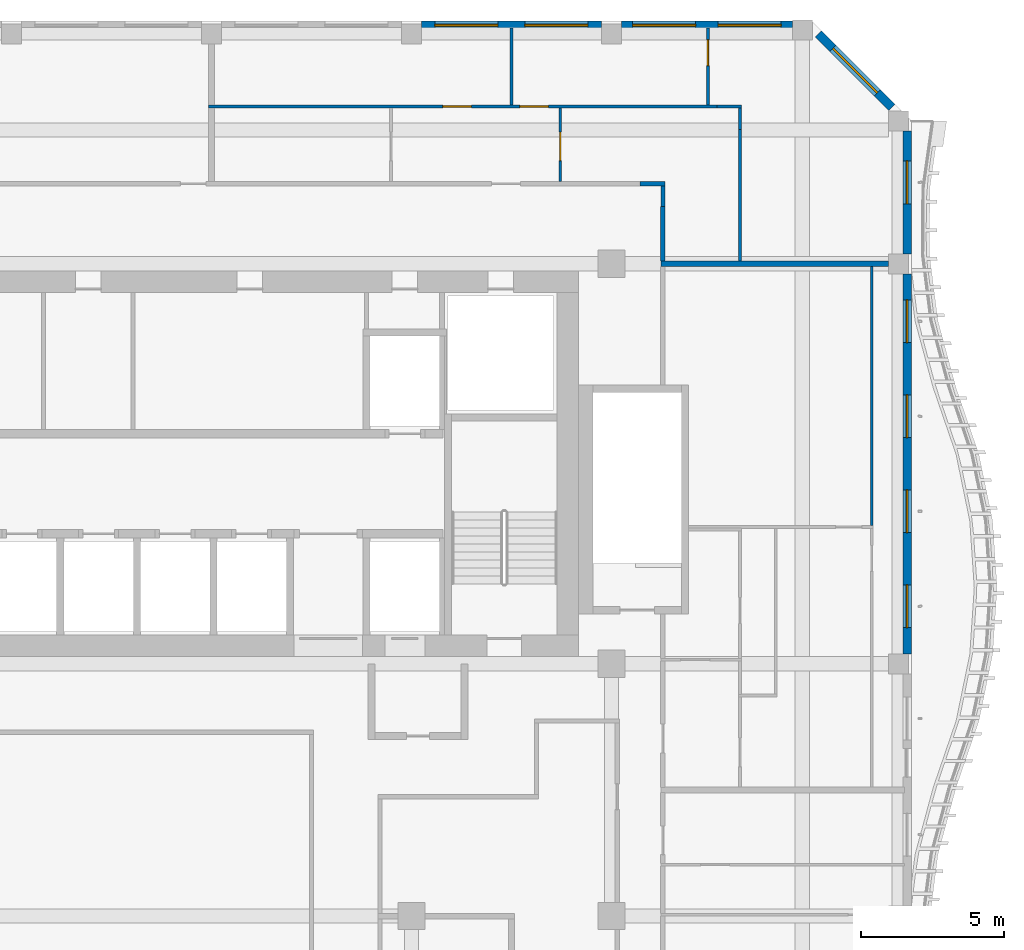
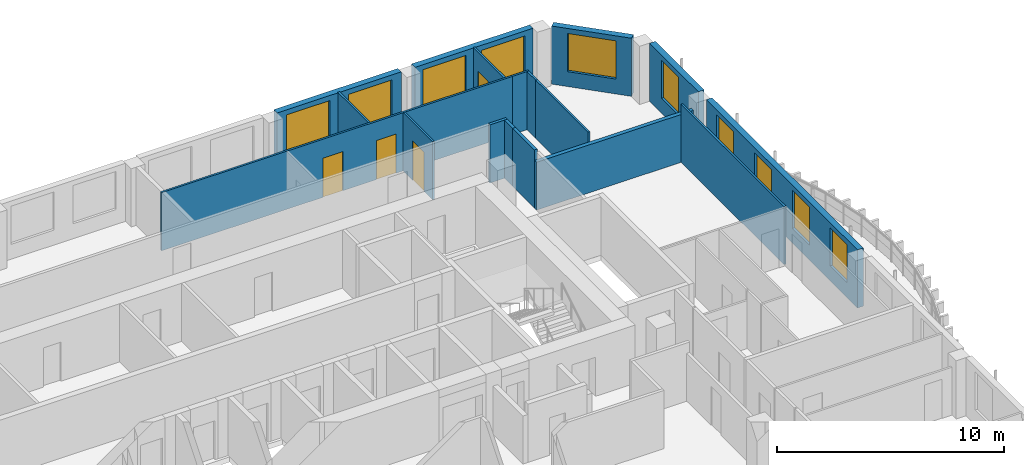
# One storey, part 9 of 18: 17 walls, 10 windows, 4 doors, 14 openings.
"""IFC4 building model written with IfcOpenShell, lengths in metres."""

from ifc_helpers import new_model, si_unit, direction, frame, frame_2d, origin, place, context, subcontext, project, spatial, rectangle, extrude, source, transform, mapped, material, layer, layer_set, type_object, element, fill, save


model = new_model("IFC4")

# Units and contexts
model_context = context("Model", 3, precision=1e-05, world=origin(), true_north=direction((0.0, 1.0)))
body_context = subcontext(model_context, "Body", "Model", "MODEL_VIEW")
ifc_project = project(units=[si_unit("LENGTHUNIT", "METRE"), si_unit("AREAUNIT", "SQUARE_METRE"), si_unit("VOLUMEUNIT", "CUBIC_METRE"), si_unit("PLANEANGLEUNIT", "RADIAN"), si_unit("MASSUNIT", "GRAM", prefix="KILO")], contexts=[model_context])

# Site, building, storey
site_placement = place(None, origin())
site = spatial("IfcSite", under=ifc_project, at=site_placement, CompositionType="ELEMENT")
building_placement = place(site_placement, origin())
building = spatial("IfcBuilding", under=site, at=building_placement, Name="Kilnfold Tower and Market Hall", CompositionType="ELEMENT")
storey_placement = place(building_placement, frame((0.0, 0.0, 256.0)))
storey = spatial("IfcBuildingStorey", under=building, at=storey_placement, Name="L62", CompositionType="ELEMENT", Elevation=256.0)

# Walls
ifc_material_1 = material(Name="Gypsum board on steel studs", Category="steel")
ifc_layer_1 = layer(ifc_material_1, 0.14990234375)
ifc_layer_set_1 = layer_set([ifc_layer_1], Name="Gypsum board on steel studs")
wall_type_1 = type_object("IfcWallType", Name="WALL CORRIDOR 150", PredefinedType="PARTITIONING", material=ifc_layer_set_1)
wall_1_placement = place(storey_placement, frame((20.876953125, 24.802001953125, 0.0), z_axis=(0.0, 0.0, 1.0), x_axis=(-1.0, 0.0, 0.0)))
element("IfcWall", 1, at=wall_1_placement, inside=storey, type_object=wall_type_1, Name="Partition LY38.19", PredefinedType="PARTITIONING", context=body_context, shape_type="SweptSolid", body=[
    extrude(rectangle(XDim=0.87890625, YDim=0.14990234375, at=frame_2d((0.439453125, 0.0))), origin(), (0.0, 0.0, 1.0), 3.1201171875),
])
wall_2_placement = place(storey_placement, frame((20.802001953125, 23.998046875, 0.0), z_axis=(0.0, 0.0, 1.0), x_axis=(0.0, 1.0, 0.0)))
element("IfcWall", 2, at=wall_2_placement, inside=storey, type_object=wall_type_1, Name="Partition LY38.20", PredefinedType="PARTITIONING", context=body_context, shape_type="SweptSolid", body=[
    extrude(rectangle(XDim=0.72900390625, YDim=0.14990234375, at=frame_2d((0.364501953125, 0.0))), origin(), (0.0, 0.0, 1.0), 3.1201171875),
])
wall_3_placement = place(storey_placement, frame((20.800048828125, 22.090087890625, 0.0), z_axis=(0.0, 0.0, 1.0), x_axis=(0.0, 1.0, 0.0)))
element("IfcWall", 3, at=wall_3_placement, inside=storey, type_object=wall_type_1, Name="Partition LY38.21", PredefinedType="PARTITIONING", context=body_context, shape_type="SweptSolid", body=[
    extrude(rectangle(XDim=1.907958984375, YDim=0.14990234375, at=frame_2d((0.9541015625, 0.0))), origin(), (0.0, 0.0, 1.0), 3.1201171875),
])
ifc_material_2 = material(Name="Gypsum board on steel studs", Category="steel")
ifc_layer_2 = layer(ifc_material_2, 0.10009765625)
ifc_layer_set_2 = layer_set([ifc_layer_2], Name="Gypsum board on steel studs")
wall_type_2 = type_object("IfcWallType", Name="WALL PARTITION 100", PredefinedType="PARTITIONING", material=ifc_layer_set_2)
wall_4_placement = place(storey_placement, frame((28.111083984375, 12.841064453125, 0.0), z_axis=(0.0, 0.0, 1.0), x_axis=(0.0, 1.0, 0.0)))
element("IfcWall", 4, at=wall_4_placement, inside=storey, type_object=wall_type_2, Name="Partition LY38.87", PredefinedType="PARTITIONING", context=body_context, shape_type="SweptSolid", body=[
    extrude(rectangle(XDim=9.058837890625, YDim=0.10009765625, at=frame_2d((4.529296875, 0.0))), origin(), (0.0, 0.0, 1.0), 3.1201171875),
])

# Wall, openings, doors
wall_5_placement = place(storey_placement, frame((4.89990234375, 27.5, 0.0), z_axis=(0.0, 0.0, 1.0), x_axis=(1.0, 0.0, 0.0)))
wall_5 = element("IfcWall", 5, at=wall_5_placement, inside=storey, type_object=wall_type_2, Name="Partition LY38.95", PredefinedType="PARTITIONING", context=body_context, shape_type="SweptSolid", body=[
    extrude(rectangle(XDim=17.798095703125, YDim=0.10009765625, at=frame_2d((8.89892578125, 0.0))), origin(), (0.0, 0.0, 1.0), 3.1201171875),
])
opening_1_placement = place(wall_5_placement, frame((8.200927734375, 0.0, 0.0)))
opening_1 = element("IfcOpeningElement", 6, at=opening_1_placement, cuts=wall_5, Name="Opening D1", PredefinedType="OPENING", context=body_context, shape_type="SweptSolid", body=[
    extrude(rectangle(XDim=1.0, YDim=2.10009765625, at=frame_2d((0.5, 1.050048828125))), frame((0.0, 0.06005859375, 0.0), z_axis=(0.0, -1.0, 0.0), x_axis=(1.0, 0.0, 0.0)), (0.0, 0.0, 1.0), 0.1201171875),
])
opening_2_placement = place(wall_5_placement, frame((10.89697265625, 0.0, 0.0)))
opening_2 = element("IfcOpeningElement", 7, at=opening_2_placement, cuts=wall_5, Name="Opening D1", PredefinedType="OPENING", context=body_context, shape_type="SweptSolid", body=[
    extrude(rectangle(XDim=1.0, YDim=2.10009765625, at=frame_2d((0.5, 1.050048828125))), frame((0.0, 0.06005859375, 0.0), z_axis=(0.0, -1.0, 0.0), x_axis=(1.0, 0.0, 0.0)), (0.0, 0.0, 1.0), 0.1201171875),
])
ifc_material_3 = material(Name="Timber veneer door leaf in steel frame", Category="steel")
door_type_1 = type_object("IfcDoorType", Name="DOOR ENTRY 1000 X2100", OperationType="NOTDEFINED", PredefinedType="DOOR", material=ifc_material_3)
door_1_placement = place(opening_1_placement, origin())
door_1 = element("IfcDoor", 8, at=door_1_placement, inside=storey, type_object=door_type_1, Name="Door D1", OperationType="SINGLE_SWING_LEFT", OverallHeight=2.10009765625, OverallWidth=1.0, PredefinedType="DOOR", context=body_context, shape_type="SweptSolid", body=[
    extrude(rectangle(XDim=1.0, YDim=2.10009765625, at=frame_2d((0.5, 1.050048828125))), frame((0.0, 0.02490234375, 0.0), z_axis=(0.0, -1.0, 0.0), x_axis=(1.0, 0.0, 0.0)), (0.0, 0.0, 1.0), 0.050048828125),
])
fill(opening_1, door_1)
door_2_placement = place(opening_2_placement, origin())
door_2 = element("IfcDoor", 9, at=door_2_placement, inside=storey, type_object=door_type_1, Name="Door D1", OperationType="SINGLE_SWING_LEFT", OverallHeight=2.10009765625, OverallWidth=1.0, PredefinedType="DOOR", context=body_context, shape_type="SweptSolid", body=[
    extrude(rectangle(XDim=1.0, YDim=2.10009765625, at=frame_2d((0.5, 1.050048828125))), frame((0.0, 0.02490234375, 0.0), z_axis=(0.0, -1.0, 0.0), x_axis=(1.0, 0.0, 0.0)), (0.0, 0.0, 1.0), 0.050048828125),
])
fill(opening_2, door_2)

# Wall, opening, door
wall_6_placement = place(storey_placement, frame((17.2099609375, 24.876953125, 0.0), z_axis=(0.0, 0.0, 1.0), x_axis=(0.0, 1.0, 0.0)))
wall_6 = element("IfcWall", 10, at=wall_6_placement, inside=storey, type_object=wall_type_2, Name="Partition LY38.97", PredefinedType="PARTITIONING", context=body_context, shape_type="SweptSolid", body=[
    extrude(rectangle(XDim=2.572998046875, YDim=0.10009765625, at=frame_2d((1.28662109375, 0.0))), origin(), (0.0, 0.0, 1.0), 3.1201171875),
])
opening_3_placement = place(wall_6_placement, frame((0.73291015625, 0.0, 0.0)))
opening_3 = element("IfcOpeningElement", 11, at=opening_3_placement, cuts=wall_6, Name="Opening D1", PredefinedType="OPENING", context=body_context, shape_type="SweptSolid", body=[
    extrude(rectangle(XDim=1.0, YDim=2.10009765625, at=frame_2d((0.5, 1.050048828125))), frame((0.0, 0.06005859375, 0.0), z_axis=(0.0, -1.0, 0.0), x_axis=(1.0, 0.0, 0.0)), (0.0, 0.0, 1.0), 0.1201171875),
])
door_3_placement = place(opening_3_placement, origin())
door_3 = element("IfcDoor", 12, at=door_3_placement, inside=storey, type_object=door_type_1, Name="Door D1", OperationType="SINGLE_SWING_RIGHT", OverallHeight=2.10009765625, OverallWidth=1.0, PredefinedType="DOOR", context=body_context, shape_type="SweptSolid", body=[
    extrude(rectangle(XDim=1.0, YDim=2.10009765625, at=frame_2d((0.5, 1.050048828125))), frame((0.0, 0.02490234375, 0.0), z_axis=(0.0, -1.0, 0.0), x_axis=(1.0, 0.0, 0.0)), (0.0, 0.0, 1.0), 0.050048828125),
])
fill(opening_3, door_3)

# Walls
wall_7_placement = place(storey_placement, frame((23.552001953125, 27.501953125, 0.0), z_axis=(0.0, 0.0, 1.0), x_axis=(-1.0, 0.0, 0.0)))
element("IfcWall", 13, at=wall_7_placement, inside=storey, type_object=wall_type_2, Name="Partition LY38.98", PredefinedType="PARTITIONING", context=body_context, shape_type="SweptSolid", body=[
    extrude(rectangle(XDim=0.85400390625, YDim=0.10009765625, at=frame_2d((0.427001953125, 0.0))), origin(), (0.0, 0.0, 1.0), 3.1201171875),
])
wall_8_placement = place(storey_placement, frame((23.501953125, 26.697998046875, 0.0), z_axis=(0.0, 0.0, 1.0), x_axis=(0.0, 1.0, 0.0)))
element("IfcWall", 14, at=wall_8_placement, inside=storey, type_object=wall_type_2, Name="Partition LY38.99", PredefinedType="PARTITIONING", context=body_context, shape_type="SweptSolid", body=[
    extrude(rectangle(XDim=0.75390625, YDim=0.10009765625, at=frame_2d((0.376953125, 0.0))), origin(), (0.0, 0.0, 1.0), 3.1201171875),
])
wall_9_placement = place(storey_placement, frame((23.5, 22.10009765625, 0.0), z_axis=(0.0, 0.0, 1.0), x_axis=(0.0, 1.0, 0.0)))
element("IfcWall", 15, at=wall_9_placement, inside=storey, type_object=wall_type_2, Name="Partition LY38.100", PredefinedType="PARTITIONING", context=body_context, shape_type="SweptSolid", body=[
    extrude(rectangle(XDim=4.597900390625, YDim=0.10009765625, at=frame_2d((2.298828125, 0.0))), origin(), (0.0, 0.0, 1.0), 3.1201171875),
])
wall_10_placement = place(storey_placement, frame((15.5, 27.552001953125, 0.0), z_axis=(0.0, 0.0, 1.0), x_axis=(0.0, 1.0, 0.0)))
element("IfcWall", 16, at=wall_10_placement, inside=storey, type_object=wall_type_2, Name="Partition LY38.101", PredefinedType="PARTITIONING", context=body_context, shape_type="SweptSolid", body=[
    extrude(rectangle(XDim=2.697998046875, YDim=0.10009765625, at=frame_2d((1.34912109375, 0.0))), origin(), (0.0, 0.0, 1.0), 3.1201171875),
])

# Wall, opening, door
wall_11_placement = place(storey_placement, frame((22.375, 27.552001953125, 0.0), z_axis=(0.0, 0.0, 1.0), x_axis=(0.0, 1.0, 0.0)))
wall_11 = element("IfcWall", 17, at=wall_11_placement, inside=storey, type_object=wall_type_2, Name="Partition LY38.103", PredefinedType="PARTITIONING", context=body_context, shape_type="SweptSolid", body=[
    extrude(rectangle(XDim=2.697998046875, YDim=0.10009765625, at=frame_2d((1.34912109375, 0.0))), origin(), (0.0, 0.0, 1.0), 3.1201171875),
])
opening_4_placement = place(wall_11_placement, frame((1.383056640625, 0.0, 0.0)))
opening_4 = element("IfcOpeningElement", 18, at=opening_4_placement, cuts=wall_11, Name="Opening D2", PredefinedType="OPENING", context=body_context, shape_type="SweptSolid", body=[
    extrude(rectangle(XDim=0.89990234375, YDim=2.10009765625, at=frame_2d((0.449951171875, 1.050048828125))), frame((0.0, 0.06005859375, 0.0), z_axis=(0.0, -1.0, 0.0), x_axis=(1.0, 0.0, 0.0)), (0.0, 0.0, 1.0), 0.1201171875),
])
ifc_material_4 = material(Name="Timber veneer door leaf in steel frame", Category="steel")
door_type_2 = type_object("IfcDoorType", Name="DOOR ROOM 900 X2100", OperationType="NOTDEFINED", PredefinedType="DOOR", material=ifc_material_4)
door_4_placement = place(opening_4_placement, origin())
door_4 = element("IfcDoor", 19, at=door_4_placement, inside=storey, type_object=door_type_2, Name="Door D2", OperationType="SINGLE_SWING_RIGHT", OverallHeight=2.10009765625, OverallWidth=0.89990234375, PredefinedType="DOOR", context=body_context, shape_type="SweptSolid", body=[
    extrude(rectangle(XDim=0.89990234375, YDim=2.10009765625, at=frame_2d((0.449951171875, 1.050048828125))), frame((0.0, 0.02490234375, 0.0), z_axis=(0.0, -1.0, 0.0), x_axis=(1.0, 0.0, 0.0)), (0.0, 0.0, 1.0), 0.050048828125),
])
fill(opening_4, door_4)

# Wall
ifc_material_5 = material(Name="Gypsum board on steel studs", Category="steel")
ifc_layer_3 = layer(ifc_material_5, 0.199951171875)
ifc_layer_set_3 = layer_set([ifc_layer_3], Name="Gypsum board on steel studs")
wall_type_3 = type_object("IfcWallType", Name="WALL PARTY 200", PredefinedType="PARTITIONING", material=ifc_layer_set_3)
wall_12_placement = place(storey_placement, frame((20.72705078125, 22.0, 0.0), z_axis=(0.0, 0.0, 1.0), x_axis=(1.0, 0.0, 0.0)))
element("IfcWall", 20, at=wall_12_placement, inside=storey, type_object=wall_type_3, Name="Partition LY38.88", PredefinedType="PARTITIONING", context=body_context, shape_type="SweptSolid", body=[
    extrude(rectangle(XDim=7.972900390625, YDim=0.199951171875, at=frame_2d((3.986328125, 0.0))), origin(), (0.0, 0.0, 1.0), 2.570068359375),
])

# Wall, openings, windows
ifc_material_6 = material(Name="Precast concrete C50/60", Category="concrete")
ifc_layer_4 = layer(ifc_material_6, 0.300048828125)
ifc_layer_set_4 = layer_set([ifc_layer_4], Name="Precast concrete C50/60")
wall_type_4 = type_object("IfcWallType", Name="PRECAST WALL 300", PredefinedType="SOLIDWALL", material=ifc_layer_set_4)
shared_shape_1 = source(origin(), body_context, "Body", "SweptSolid", [
    extrude(rectangle(XDim=6.2998046875, YDim=0.300048828125, at=frame_2d((3.14990234375, 0.0))), origin(), (0.0, 0.0, 1.0), 3.1201171875),
])
wall_13_placement = place(storey_placement, frame((18.64990234375, 30.35009765625, 0.0), z_axis=(0.0, 0.0, 1.0), x_axis=(-1.0, 0.0, 0.0)))
wall_13 = element("IfcWall", 21, at=wall_13_placement, inside=storey, type_object=wall_type_4, Name="External wall L62 N", PredefinedType="SOLIDWALL", context=body_context, shape_type="MappedRepresentation", body=[
    mapped(shared_shape_1, transform((0.0, 0.0, 0.0))),
])
opening_5_placement = place(wall_13_placement, frame((0.47509765625, 0.0, 0.800048828125)))
opening_5 = element("IfcOpeningElement", 22, at=opening_5_placement, cuts=wall_13, Name="Opening W3", PredefinedType="OPENING", context=body_context, shape_type="SweptSolid", body=[
    extrude(rectangle(XDim=2.199951171875, YDim=2.050048828125, at=frame_2d((1.10009765625, 1.02490234375))), frame((0.0, 0.16015625, 0.0), z_axis=(0.0, -1.0, 0.0), x_axis=(1.0, 0.0, 0.0)), (0.0, 0.0, 1.0), 0.320068359375),
])
opening_6_placement = place(wall_13_placement, frame((3.625, 0.0, 0.800048828125)))
opening_6 = element("IfcOpeningElement", 23, at=opening_6_placement, cuts=wall_13, Name="Opening W3", PredefinedType="OPENING", context=body_context, shape_type="SweptSolid", body=[
    extrude(rectangle(XDim=2.199951171875, YDim=2.050048828125, at=frame_2d((1.10009765625, 1.02490234375))), frame((0.0, 0.16015625, 0.0), z_axis=(0.0, -1.0, 0.0), x_axis=(1.0, 0.0, 0.0)), (0.0, 0.0, 1.0), 0.320068359375),
])
ifc_material_7 = material(Name="Aluminium frame and double glazing", Category="aluminium")
window_type_1 = type_object("IfcWindowType", Name="WINDOW W3 2200X2050", PartitioningType="SINGLE_PANEL", PredefinedType="WINDOW", material=ifc_material_7)
window_1_placement = place(opening_5_placement, origin())
window_1 = element("IfcWindow", 24, at=window_1_placement, inside=storey, type_object=window_type_1, Name="Window W3 L62 N-1", OverallHeight=2.050048828125, OverallWidth=2.199951171875, PartitioningType="SINGLE_PANEL", PredefinedType="WINDOW", context=body_context, shape_type="SweptSolid", body=[
    extrude(rectangle(XDim=2.199951171875, YDim=2.050048828125, at=frame_2d((1.10009765625, 1.02490234375))), frame((0.0, 0.030029296875, 0.0), z_axis=(0.0, -1.0, 0.0), x_axis=(1.0, 0.0, 0.0)), (0.0, 0.0, 1.0), 0.06005859375),
])
fill(opening_5, window_1)
window_2_placement = place(opening_6_placement, origin())
window_2 = element("IfcWindow", 25, at=window_2_placement, inside=storey, type_object=window_type_1, Name="Window W3 L62 N-2", OverallHeight=2.050048828125, OverallWidth=2.199951171875, PartitioningType="SINGLE_PANEL", PredefinedType="WINDOW", context=body_context, shape_type="SweptSolid", body=[
    extrude(rectangle(XDim=2.199951171875, YDim=2.050048828125, at=frame_2d((1.10009765625, 1.02490234375))), frame((0.0, 0.030029296875, 0.0), z_axis=(0.0, -1.0, 0.0), x_axis=(1.0, 0.0, 0.0)), (0.0, 0.0, 1.0), 0.06005859375),
])
fill(opening_6, window_2)

# Wall, opening, window
shared_shape_2 = source(origin(), body_context, "Body", "SweptSolid", [
    extrude(rectangle(XDim=3.6416015625, YDim=0.300048828125, at=frame_2d((1.82080078125, 0.0))), origin(), (0.0, 0.0, 1.0), 3.1201171875),
])
wall_14_placement = place(storey_placement, frame((28.81884765625, 27.468994140625, 0.0), z_axis=(0.0, 0.0, 1.0), x_axis=(-0.707106781187, 0.707106781187, 0.0)))
wall_14 = element("IfcWall", 26, at=wall_14_placement, inside=storey, type_object=wall_type_4, Name="External wall L62 NE", PredefinedType="SOLIDWALL", context=body_context, shape_type="MappedRepresentation", body=[
    mapped(shared_shape_2, transform((0.0, 0.0, 0.0))),
])
opening_7_placement = place(wall_14_placement, frame((0.720703125, 0.0, 0.800048828125)))
opening_7 = element("IfcOpeningElement", 27, at=opening_7_placement, cuts=wall_14, Name="Opening W3", PredefinedType="OPENING", context=body_context, shape_type="SweptSolid", body=[
    extrude(rectangle(XDim=2.199951171875, YDim=2.050048828125, at=frame_2d((1.10009765625, 1.02490234375))), frame((0.0, 0.16015625, 0.0), z_axis=(0.0, -1.0, 0.0), x_axis=(1.0, 0.0, 0.0)), (0.0, 0.0, 1.0), 0.320068359375),
])
window_3_placement = place(opening_7_placement, origin())
window_3 = element("IfcWindow", 28, at=window_3_placement, inside=storey, type_object=window_type_1, Name="Window W3 L62 NE-1", OverallHeight=2.050048828125, OverallWidth=2.199951171875, PartitioningType="SINGLE_PANEL", PredefinedType="WINDOW", context=body_context, shape_type="SweptSolid", body=[
    extrude(rectangle(XDim=2.199951171875, YDim=2.050048828125, at=frame_2d((1.10009765625, 1.02490234375))), frame((0.0, 0.030029296875, 0.0), z_axis=(0.0, -1.0, 0.0), x_axis=(1.0, 0.0, 0.0)), (0.0, 0.0, 1.0), 0.06005859375),
])
fill(opening_7, window_3)

# Wall, openings, windows
shared_shape_3 = source(origin(), body_context, "Body", "SweptSolid", [
    extrude(rectangle(XDim=13.2998046875, YDim=0.300048828125, at=frame_2d((6.64990234375, 0.0))), origin(), (0.0, 0.0, 1.0), 3.1201171875),
])
wall_15_placement = place(storey_placement, frame((29.35009765625, 8.35009765625, 0.0), z_axis=(0.0, 0.0, 1.0), x_axis=(0.0, 1.0, 0.0)))
wall_15 = element("IfcWall", 29, at=wall_15_placement, inside=storey, type_object=wall_type_4, Name="External wall L62 E", PredefinedType="SOLIDWALL", context=body_context, shape_type="MappedRepresentation", body=[
    mapped(shared_shape_3, transform((0.0, 0.0, 0.0))),
])
opening_8_placement = place(wall_15_placement, frame((0.91259765625, 0.0, 0.800048828125)))
opening_8 = element("IfcOpeningElement", 30, at=opening_8_placement, cuts=wall_15, Name="Opening W5", PredefinedType="OPENING", context=body_context, shape_type="SweptSolid", body=[
    extrude(rectangle(XDim=1.5, YDim=2.050048828125, at=frame_2d((0.75, 1.02490234375))), frame((0.0, 0.16015625, 0.0), z_axis=(0.0, -1.0, 0.0), x_axis=(1.0, 0.0, 0.0)), (0.0, 0.0, 1.0), 0.320068359375),
])
opening_9_placement = place(wall_15_placement, frame((4.237548828125, 0.0, 0.800048828125)))
opening_9 = element("IfcOpeningElement", 31, at=opening_9_placement, cuts=wall_15, Name="Opening W5", PredefinedType="OPENING", context=body_context, shape_type="SweptSolid", body=[
    extrude(rectangle(XDim=1.5, YDim=2.050048828125, at=frame_2d((0.75, 1.02490234375))), frame((0.0, 0.16015625, 0.0), z_axis=(0.0, -1.0, 0.0), x_axis=(1.0, 0.0, 0.0)), (0.0, 0.0, 1.0), 0.320068359375),
])
opening_10_placement = place(wall_15_placement, frame((7.5625, 0.0, 0.800048828125)))
opening_10 = element("IfcOpeningElement", 32, at=opening_10_placement, cuts=wall_15, Name="Opening W5", PredefinedType="OPENING", context=body_context, shape_type="SweptSolid", body=[
    extrude(rectangle(XDim=1.5, YDim=2.050048828125, at=frame_2d((0.75, 1.02490234375))), frame((0.0, 0.16015625, 0.0), z_axis=(0.0, -1.0, 0.0), x_axis=(1.0, 0.0, 0.0)), (0.0, 0.0, 1.0), 0.320068359375),
])
opening_11_placement = place(wall_15_placement, frame((10.887451171875, 0.0, 0.800048828125)))
opening_11 = element("IfcOpeningElement", 33, at=opening_11_placement, cuts=wall_15, Name="Opening W5", PredefinedType="OPENING", context=body_context, shape_type="SweptSolid", body=[
    extrude(rectangle(XDim=1.5, YDim=2.050048828125, at=frame_2d((0.75, 1.02490234375))), frame((0.0, 0.16015625, 0.0), z_axis=(0.0, -1.0, 0.0), x_axis=(1.0, 0.0, 0.0)), (0.0, 0.0, 1.0), 0.320068359375),
])
ifc_material_8 = material(Name="Aluminium frame and double glazing", Category="aluminium")
window_type_2 = type_object("IfcWindowType", Name="WINDOW W5 1500X2050", PartitioningType="SINGLE_PANEL", PredefinedType="WINDOW", material=ifc_material_8)
window_4_placement = place(opening_8_placement, origin())
window_4 = element("IfcWindow", 34, at=window_4_placement, inside=storey, type_object=window_type_2, Name="Window W5 L62 E-1", OverallHeight=2.050048828125, OverallWidth=1.5, PartitioningType="SINGLE_PANEL", PredefinedType="WINDOW", context=body_context, shape_type="SweptSolid", body=[
    extrude(rectangle(XDim=1.5, YDim=2.050048828125, at=frame_2d((0.75, 1.02490234375))), frame((0.0, 0.030029296875, 0.0), z_axis=(0.0, -1.0, 0.0), x_axis=(1.0, 0.0, 0.0)), (0.0, 0.0, 1.0), 0.06005859375),
])
fill(opening_8, window_4)
window_5_placement = place(opening_9_placement, origin())
window_5 = element("IfcWindow", 35, at=window_5_placement, inside=storey, type_object=window_type_2, Name="Window W5 L62 E-2", OverallHeight=2.050048828125, OverallWidth=1.5, PartitioningType="SINGLE_PANEL", PredefinedType="WINDOW", context=body_context, shape_type="SweptSolid", body=[
    extrude(rectangle(XDim=1.5, YDim=2.050048828125, at=frame_2d((0.75, 1.02490234375))), frame((0.0, 0.030029296875, 0.0), z_axis=(0.0, -1.0, 0.0), x_axis=(1.0, 0.0, 0.0)), (0.0, 0.0, 1.0), 0.06005859375),
])
fill(opening_9, window_5)
window_6_placement = place(opening_10_placement, origin())
window_6 = element("IfcWindow", 36, at=window_6_placement, inside=storey, type_object=window_type_2, Name="Window W5 L62 E-3", OverallHeight=2.050048828125, OverallWidth=1.5, PartitioningType="SINGLE_PANEL", PredefinedType="WINDOW", context=body_context, shape_type="SweptSolid", body=[
    extrude(rectangle(XDim=1.5, YDim=2.050048828125, at=frame_2d((0.75, 1.02490234375))), frame((0.0, 0.030029296875, 0.0), z_axis=(0.0, -1.0, 0.0), x_axis=(1.0, 0.0, 0.0)), (0.0, 0.0, 1.0), 0.06005859375),
])
fill(opening_10, window_6)
window_7_placement = place(opening_11_placement, origin())
window_7 = element("IfcWindow", 37, at=window_7_placement, inside=storey, type_object=window_type_2, Name="Window W5 L62 E-4", OverallHeight=2.050048828125, OverallWidth=1.5, PartitioningType="SINGLE_PANEL", PredefinedType="WINDOW", context=body_context, shape_type="SweptSolid", body=[
    extrude(rectangle(XDim=1.5, YDim=2.050048828125, at=frame_2d((0.75, 1.02490234375))), frame((0.0, 0.030029296875, 0.0), z_axis=(0.0, -1.0, 0.0), x_axis=(1.0, 0.0, 0.0)), (0.0, 0.0, 1.0), 0.06005859375),
])
fill(opening_11, window_7)

# Wall, opening, window
shared_shape_4 = source(origin(), body_context, "Body", "SweptSolid", [
    extrude(rectangle(XDim=4.2998046875, YDim=0.300048828125, at=frame_2d((2.14990234375, 0.0))), origin(), (0.0, 0.0, 1.0), 3.1201171875),
])
wall_16_placement = place(storey_placement, frame((29.35009765625, 22.35009765625, 0.0), z_axis=(0.0, 0.0, 1.0), x_axis=(0.0, 1.0, 0.0)))
wall_16 = element("IfcWall", 38, at=wall_16_placement, inside=storey, type_object=wall_type_4, Name="External wall L62 E", PredefinedType="SOLIDWALL", context=body_context, shape_type="MappedRepresentation", body=[
    mapped(shared_shape_4, transform((0.0, 0.0, 0.0))),
])
opening_12_placement = place(wall_16_placement, frame((1.75, 0.0, 0.800048828125)))
opening_12 = element("IfcOpeningElement", 39, at=opening_12_placement, cuts=wall_16, Name="Opening W5", PredefinedType="OPENING", context=body_context, shape_type="SweptSolid", body=[
    extrude(rectangle(XDim=1.5, YDim=2.050048828125, at=frame_2d((0.75, 1.02490234375))), frame((0.0, 0.16015625, 0.0), z_axis=(0.0, -1.0, 0.0), x_axis=(1.0, 0.0, 0.0)), (0.0, 0.0, 1.0), 0.320068359375),
])
window_8_placement = place(opening_12_placement, origin())
window_8 = element("IfcWindow", 40, at=window_8_placement, inside=storey, type_object=window_type_2, Name="Window W5 L62 E-1", OverallHeight=2.050048828125, OverallWidth=1.5, PartitioningType="SINGLE_PANEL", PredefinedType="WINDOW", context=body_context, shape_type="SweptSolid", body=[
    extrude(rectangle(XDim=1.5, YDim=2.050048828125, at=frame_2d((0.75, 1.02490234375))), frame((0.0, 0.030029296875, 0.0), z_axis=(0.0, -1.0, 0.0), x_axis=(1.0, 0.0, 0.0)), (0.0, 0.0, 1.0), 0.06005859375),
])
fill(opening_12, window_8)

# Wall, openings, windows
shared_shape_5 = source(origin(), body_context, "Body", "SweptSolid", [
    extrude(rectangle(XDim=5.981689453125, YDim=0.300048828125, at=frame_2d((2.99072265625, 0.0))), origin(), (0.0, 0.0, 1.0), 3.1201171875),
])
wall_17_placement = place(storey_placement, frame((25.331787109375, 30.35009765625, 0.0), z_axis=(0.0, 0.0, 1.0), x_axis=(-1.0, 0.0, 0.0)))
wall_17 = element("IfcWall", 41, at=wall_17_placement, inside=storey, type_object=wall_type_4, Name="External wall L62 N", PredefinedType="SOLIDWALL", context=body_context, shape_type="MappedRepresentation", body=[
    mapped(shared_shape_5, transform((0.0, 0.0, 0.0))),
])
opening_13_placement = place(wall_17_placement, frame((0.3955078125, 0.0, 0.800048828125)))
opening_13 = element("IfcOpeningElement", 42, at=opening_13_placement, cuts=wall_17, Name="Opening W3", PredefinedType="OPENING", context=body_context, shape_type="SweptSolid", body=[
    extrude(rectangle(XDim=2.199951171875, YDim=2.050048828125, at=frame_2d((1.10009765625, 1.02490234375))), frame((0.0, 0.16015625, 0.0), z_axis=(0.0, -1.0, 0.0), x_axis=(1.0, 0.0, 0.0)), (0.0, 0.0, 1.0), 0.320068359375),
])
opening_14_placement = place(wall_17_placement, frame((3.386474609375, 0.0, 0.800048828125)))
opening_14 = element("IfcOpeningElement", 43, at=opening_14_placement, cuts=wall_17, Name="Opening W3", PredefinedType="OPENING", context=body_context, shape_type="SweptSolid", body=[
    extrude(rectangle(XDim=2.199951171875, YDim=2.050048828125, at=frame_2d((1.10009765625, 1.02490234375))), frame((0.0, 0.16015625, 0.0), z_axis=(0.0, -1.0, 0.0), x_axis=(1.0, 0.0, 0.0)), (0.0, 0.0, 1.0), 0.320068359375),
])
window_9_placement = place(opening_13_placement, origin())
window_9 = element("IfcWindow", 44, at=window_9_placement, inside=storey, type_object=window_type_1, Name="Window W3 L62 N-1", OverallHeight=2.050048828125, OverallWidth=2.199951171875, PartitioningType="SINGLE_PANEL", PredefinedType="WINDOW", context=body_context, shape_type="SweptSolid", body=[
    extrude(rectangle(XDim=2.199951171875, YDim=2.050048828125, at=frame_2d((1.10009765625, 1.02490234375))), frame((0.0, 0.030029296875, 0.0), z_axis=(0.0, -1.0, 0.0), x_axis=(1.0, 0.0, 0.0)), (0.0, 0.0, 1.0), 0.06005859375),
])
fill(opening_13, window_9)
window_10_placement = place(opening_14_placement, origin())
window_10 = element("IfcWindow", 45, at=window_10_placement, inside=storey, type_object=window_type_1, Name="Window W3 L62 N-2", OverallHeight=2.050048828125, OverallWidth=2.199951171875, PartitioningType="SINGLE_PANEL", PredefinedType="WINDOW", context=body_context, shape_type="SweptSolid", body=[
    extrude(rectangle(XDim=2.199951171875, YDim=2.050048828125, at=frame_2d((1.10009765625, 1.02490234375))), frame((0.0, 0.030029296875, 0.0), z_axis=(0.0, -1.0, 0.0), x_axis=(1.0, 0.0, 0.0)), (0.0, 0.0, 1.0), 0.06005859375),
])
fill(opening_14, window_10)

save(model, "model.ifc")
